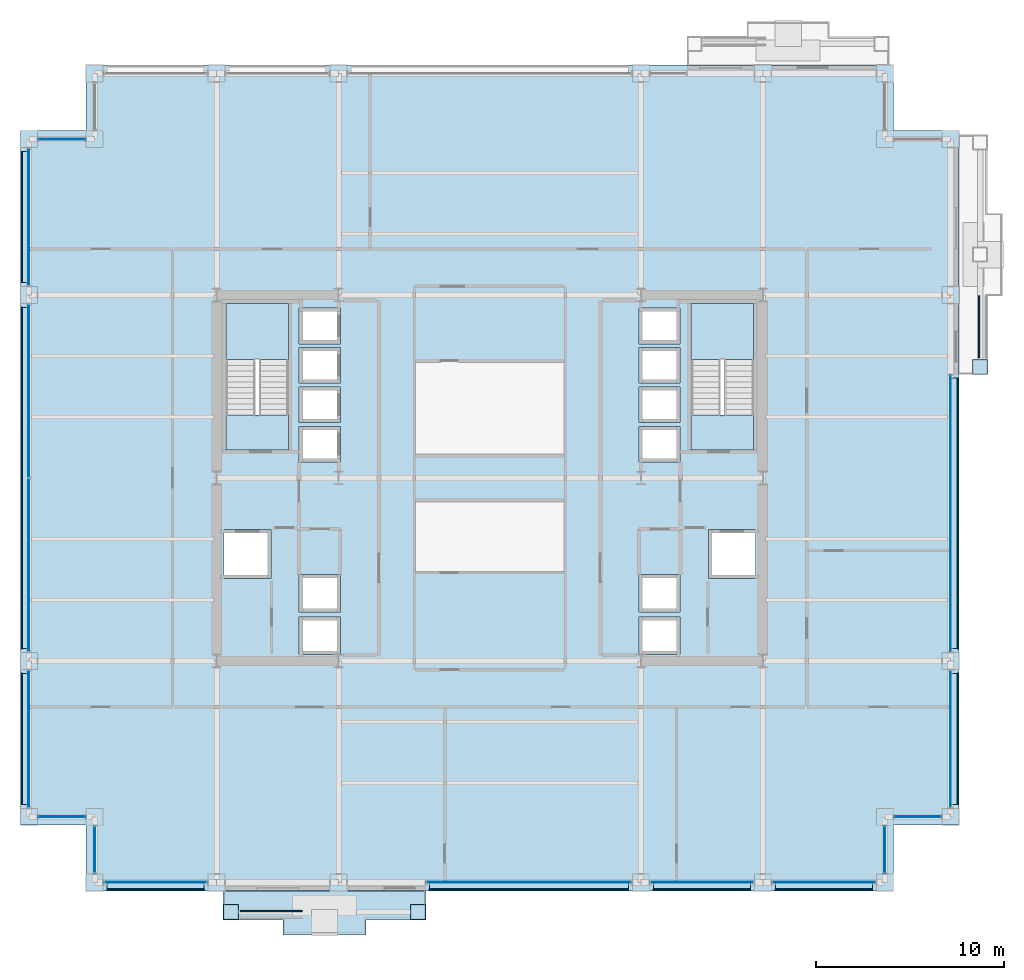
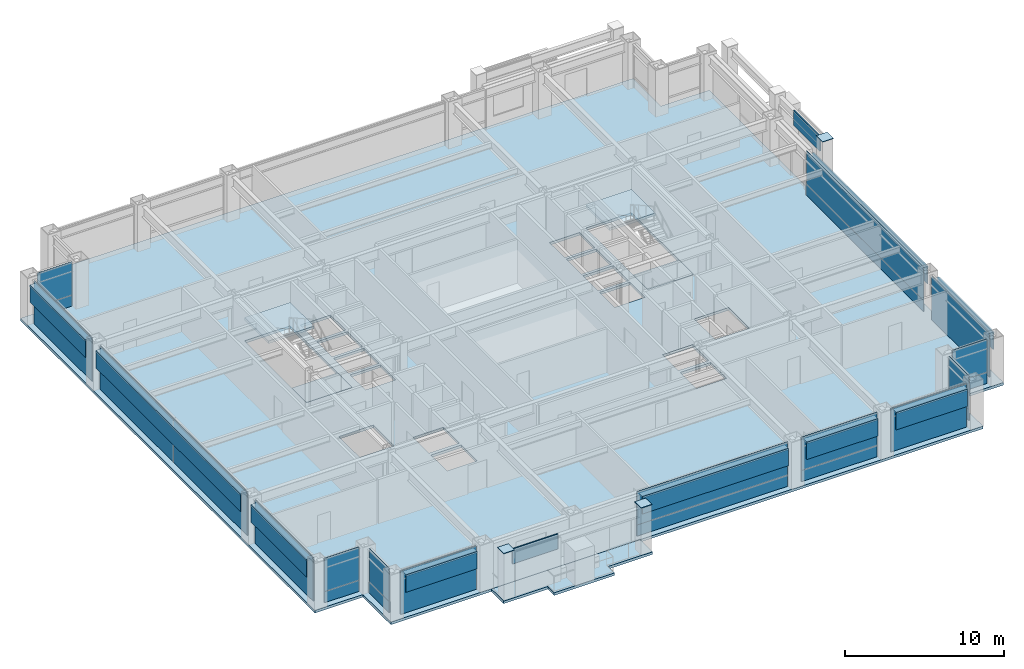
# One storey, part 24 of 31: 46 plates, 6 slabs, 16 elements without a shape of their own.
"""IFC4 building model written with IfcOpenShell, lengths in metres."""

from ifc_helpers import new_model, si_unit, direction, frame, origin, origin_2d, place, context, subcontext, project, spatial, polyline, rectangle, outline, extrude, material, layer, layer_set, type_object, element, aggregate, save


model = new_model("IFC4")

# Units and contexts
model_context = context("Model", 3, precision=1e-05, world=origin(), true_north=direction((0.0, 1.0)))
body_context = subcontext(model_context, "Body", "Model", "MODEL_VIEW")
ifc_project = project(units=[si_unit("LENGTHUNIT", "METRE"), si_unit("AREAUNIT", "SQUARE_METRE"), si_unit("VOLUMEUNIT", "CUBIC_METRE"), si_unit("PLANEANGLEUNIT", "RADIAN"), si_unit("MASSUNIT", "GRAM", prefix="KILO")], contexts=[model_context])

# Site, building, storey
site_placement = place(None, origin())
site = spatial("IfcSite", under=ifc_project, at=site_placement, CompositionType="ELEMENT")
building_placement = place(site_placement, origin())
building = spatial("IfcBuilding", under=site, at=building_placement, Name="Brelmoor Portico Tower", CompositionType="ELEMENT")
storey_placement = place(building_placement, frame((0.0, 0.0, 27.60009765625)))
storey = spatial("IfcBuildingStorey", under=building, at=storey_placement, Name="L06", CompositionType="ELEMENT", Elevation=27.60009765625)

# Plates
ifc_material_1 = material(Name="Steel Q355B", Category="steel")
ifc_layer_1 = layer(ifc_material_1, 0.044921875)
ifc_layer_set_1 = layer_set([ifc_layer_1], Name="Steel Q355B")
plate_type_1 = type_object("IfcPlateType", Name="PT-CAP-650", PredefinedType="SHEET", material=ifc_layer_set_1)
for number, where, z_axis, x_axis, name in (
    (1, (-13.780029296875, -23.1298828125, 3.599853515625), (0.0, 0.0, 1.0), (1.0, 0.0, 0.0), "L06 Proud Picture-Frame Pier PFJ-S1 Welded Head Cap Plate"),
    (2, (-3.820068359375, -23.1298828125, 3.599853515625), (0.0, 0.0, 1.0), (1.0, 0.0, 0.0), "L06 Proud Picture-Frame Pier PFJ-S2 Welded Head Cap Plate"),
    (3, (26.1298828125, 5.919921875, 3.599853515625), (0.0, 0.0, 1.0), (0.0, 1.0, 0.0), "L06 Proud Picture-Frame Pier PFJ-E1 Welded Head Cap Plate"),
):
    element("IfcPlate", number, at=place(storey_placement, frame(where, z_axis=z_axis, x_axis=x_axis)), inside=storey, type_object=plate_type_1, Name=name, PredefinedType="SHEET", context=body_context, shape_type="SweptSolid", body=[
        extrude(rectangle(XDim=0.7900390625, YDim=0.7900390625, at=origin_2d()), origin(), (0.0, 0.0, 1.0), 0.0400390625),
    ])

# Curtain wall, plate
ifc_material_2 = material(Name="Anodised Aluminium Alloy 6063-T6", Category="aluminium")
ifc_layer_2 = layer(ifc_material_2, 0.179931640625)
ifc_layer_set_2 = layer_set([ifc_layer_2], Name="Anodised Aluminium Alloy 6063-T6")
curtain_wall_type_1 = type_object("IfcCurtainWallType", Name="CW-TOWER-Z1", PredefinedType="NOTDEFINED", material=ifc_layer_set_2)
curtain_wall_1_placement = place(storey_placement, origin())
curtain_wall_1 = element("IfcCurtainWall", 4, at=curtain_wall_1_placement, inside=storey, type_object=curtain_wall_type_1, Name="L06 Curtain Wall CW-L06-1R-1", PredefinedType="NOTDEFINED")
ifc_material_3 = material(Name="Double-Silver Low-E Insulated Glazing", Category="glass")
ifc_layer_3 = layer(ifc_material_3, 0.035888671875)
ifc_layer_set_3 = layer_set([ifc_layer_3], Name="Double-Silver Low-E Insulated Glazing")
plate_type_2 = type_object("IfcPlateType", Name="PT-CW-GLASS", PredefinedType="CURTAIN_PANEL", material=ifc_layer_set_3)
plate_1_placement = place(storey_placement, frame((2.08251953125, -21.550048828125, 0.85009765625), z_axis=(0.0, 0.0, 1.0), x_axis=(1.0, 0.0, 0.0)))
plate_1 = element("IfcPlate", 5, at=plate_1_placement, type_object=plate_type_2, Name="CW-L06-1R-1 Vision Glass Panel 00", PredefinedType="CURTAIN_PANEL", context=body_context, shape_type="SweptSolid", body=[
    extrude(rectangle(XDim=10.93505859375, YDim=0.035888671875, at=origin_2d()), origin(), (0.0, 0.0, 1.0), 2.550048828125),
])

curtain_wall_2_placement = place(storey_placement, origin())
curtain_wall_2 = element("IfcCurtainWall", 6, at=curtain_wall_2_placement, inside=storey, type_object=curtain_wall_type_1, Name="L06 Curtain Wall CW-L06-1R-2", PredefinedType="NOTDEFINED")
plate_2_placement = place(storey_placement, frame((11.300048828125, -21.550048828125, 0.85009765625), z_axis=(0.0, 0.0, 1.0), x_axis=(1.0, 0.0, 0.0)))
plate_2 = element("IfcPlate", 7, at=plate_2_placement, type_object=plate_type_2, Name="CW-L06-1R-2 Vision Glass Panel 00", PredefinedType="CURTAIN_PANEL", context=body_context, shape_type="SweptSolid", body=[
    extrude(rectangle(XDim=5.5, YDim=0.035888671875, at=origin_2d()), origin(), (0.0, 0.0, 1.0), 2.550048828125),
])

curtain_wall_3_placement = place(storey_placement, origin())
curtain_wall_3 = element("IfcCurtainWall", 8, at=curtain_wall_3_placement, inside=storey, type_object=curtain_wall_type_1, Name="L06 Curtain Wall CW-L06-4L-2", PredefinedType="NOTDEFINED")
plate_3_placement = place(storey_placement, frame((24.550048828125, -1.882568359375, 0.85009765625), z_axis=(0.0, 0.0, 1.0), x_axis=(0.0, 1.0, 0.0)))
plate_3 = element("IfcPlate", 9, at=plate_3_placement, type_object=plate_type_2, Name="CW-L06-4L-2 Vision Glass Panel 00", PredefinedType="CURTAIN_PANEL", context=body_context, shape_type="SweptSolid", body=[
    extrude(rectangle(XDim=14.735107421875, YDim=0.035888671875, at=origin_2d()), origin(), (0.0, 0.0, 1.0), 2.550048828125),
])

ifc_layer_4 = layer(ifc_material_2, 0.179931640625)
ifc_layer_set_4 = layer_set([ifc_layer_4], Name="Anodised Aluminium Alloy 6063-T6")
curtain_wall_type_2 = type_object("IfcCurtainWallType", Name="CW-NOTCH-CHAMFER", PredefinedType="NOTDEFINED", material=ifc_layer_set_4)
curtain_wall_4_placement = place(storey_placement, origin())
curtain_wall_4 = element("IfcCurtainWall", 10, at=curtain_wall_4_placement, inside=storey, type_object=curtain_wall_type_2, Name="L06 Curtain Wall CWN-L06-SWH", PredefinedType="NOTDEFINED")
plate_4_placement = place(storey_placement, frame((-22.800048828125, -18.050048828125, 0.85009765625), z_axis=(0.0, 0.0, 1.0), x_axis=(1.0, 0.0, 0.0)))
plate_4 = element("IfcPlate", 11, at=plate_4_placement, type_object=plate_type_2, Name="CWN-L06-SWH Vision Glass Panel 00", PredefinedType="CURTAIN_PANEL", context=body_context, shape_type="SweptSolid", body=[
    extrude(rectangle(XDim=2.5, YDim=0.035888671875, at=origin_2d()), origin(), (0.0, 0.0, 1.0), 2.550048828125),
])

curtain_wall_5_placement = place(storey_placement, origin())
curtain_wall_5 = element("IfcCurtainWall", 12, at=curtain_wall_5_placement, inside=storey, type_object=curtain_wall_type_2, Name="L06 Curtain Wall CWN-L06-SWV", PredefinedType="NOTDEFINED")
plate_5_placement = place(storey_placement, frame((-21.050048828125, -19.800048828125, 0.85009765625), z_axis=(0.0, 0.0, 1.0), x_axis=(0.0, 1.0, 0.0)))
plate_5 = element("IfcPlate", 13, at=plate_5_placement, type_object=plate_type_2, Name="CWN-L06-SWV Vision Glass Panel 00", PredefinedType="CURTAIN_PANEL", context=body_context, shape_type="SweptSolid", body=[
    extrude(rectangle(XDim=2.5, YDim=0.035888671875, at=origin_2d()), origin(), (0.0, 0.0, 1.0), 2.550048828125),
])

curtain_wall_6_placement = place(storey_placement, origin())
curtain_wall_6 = element("IfcCurtainWall", 14, at=curtain_wall_6_placement, inside=storey, type_object=curtain_wall_type_2, Name="L06 Curtain Wall CWN-L06-SEH", PredefinedType="NOTDEFINED")
plate_6_placement = place(storey_placement, frame((22.800048828125, -18.050048828125, 0.85009765625), z_axis=(0.0, 0.0, 1.0), x_axis=(1.0, 0.0, 0.0)))
plate_6 = element("IfcPlate", 15, at=plate_6_placement, type_object=plate_type_2, Name="CWN-L06-SEH Vision Glass Panel 00", PredefinedType="CURTAIN_PANEL", context=body_context, shape_type="SweptSolid", body=[
    extrude(rectangle(XDim=2.5, YDim=0.035888671875, at=origin_2d()), origin(), (0.0, 0.0, 1.0), 2.550048828125),
])

curtain_wall_7_placement = place(storey_placement, origin())
curtain_wall_7 = element("IfcCurtainWall", 16, at=curtain_wall_7_placement, inside=storey, type_object=curtain_wall_type_2, Name="L06 Curtain Wall CWN-L06-SEV", PredefinedType="NOTDEFINED")
plate_7_placement = place(storey_placement, frame((21.050048828125, -19.800048828125, 0.85009765625), z_axis=(0.0, 0.0, 1.0), x_axis=(0.0, 1.0, 0.0)))
plate_7 = element("IfcPlate", 17, at=plate_7_placement, type_object=plate_type_2, Name="CWN-L06-SEV Vision Glass Panel 00", PredefinedType="CURTAIN_PANEL", context=body_context, shape_type="SweptSolid", body=[
    extrude(rectangle(XDim=2.5, YDim=0.035888671875, at=origin_2d()), origin(), (0.0, 0.0, 1.0), 2.550048828125),
])

curtain_wall_8_placement = place(storey_placement, origin())
curtain_wall_8 = element("IfcCurtainWall", 18, at=curtain_wall_8_placement, inside=storey, type_object=curtain_wall_type_2, Name="L06 Curtain Wall CWN-L06-NWH", PredefinedType="NOTDEFINED")
plate_8_placement = place(storey_placement, frame((-22.800048828125, 18.050048828125, 0.85009765625), z_axis=(0.0, 0.0, 1.0), x_axis=(1.0, 0.0, 0.0)))
plate_8 = element("IfcPlate", 19, at=plate_8_placement, type_object=plate_type_2, Name="CWN-L06-NWH Vision Glass Panel 00", PredefinedType="CURTAIN_PANEL", context=body_context, shape_type="SweptSolid", body=[
    extrude(rectangle(XDim=2.5, YDim=0.035888671875, at=origin_2d()), origin(), (0.0, 0.0, 1.0), 2.550048828125),
])

ifc_layer_5 = layer(ifc_material_2, 0.179931640625)
ifc_layer_set_5 = layer_set([ifc_layer_5], Name="Anodised Aluminium Alloy 6063-T6")
curtain_wall_type_3 = type_object("IfcCurtainWallType", Name="CW-TOWER-Z1-XB", PredefinedType="NOTDEFINED", material=ifc_layer_set_5)
curtain_wall_9_placement = place(storey_placement, origin())
curtain_wall_9 = element("IfcCurtainWall", 20, at=curtain_wall_9_placement, inside=storey, type_object=curtain_wall_type_3, Name="L06 Curtain Wall CW-L06-1L", PredefinedType="NOTDEFINED")
ifc_material_4 = material(Name="Pale Champagne Anodised Aluminium Panel", Category="aluminium")
ifc_layer_6 = layer(ifc_material_4, 0.050048828125)
ifc_layer_set_6 = layer_set([ifc_layer_6], Name="Pale Champagne Anodised Aluminium Panel")
plate_type_3 = type_object("IfcPlateType", Name="PT-CW-SPANDREL", PredefinedType="SHEET", material=ifc_layer_set_6)
plate_9_placement = place(storey_placement, frame((-17.800048828125, -21.550048828125, -0.000244140625), z_axis=(0.0, 0.0, 1.0), x_axis=(1.0, 0.0, 0.0)))
plate_9 = element("IfcPlate", 21, at=plate_9_placement, type_object=plate_type_3, Name="CW-L06-1L Spandrel Panel 00", PredefinedType="SHEET", context=body_context, shape_type="SweptSolid", body=[
    extrude(rectangle(XDim=5.5, YDim=0.050048828125, at=origin_2d()), origin(), (0.0, 0.0, 1.0), 3.330078125),
])
aggregate(curtain_wall_9, [plate_9])

# Plate
plate_10_placement = place(storey_placement, frame((2.08251953125, -21.550048828125, -0.000244140625), z_axis=(0.0, 0.0, 1.0), x_axis=(1.0, 0.0, 0.0)))
plate_10 = element("IfcPlate", 22, at=plate_10_placement, type_object=plate_type_3, Name="CW-L06-1R-1 Spandrel Panel 00", PredefinedType="SHEET", context=body_context, shape_type="SweptSolid", body=[
    extrude(rectangle(XDim=10.93505859375, YDim=0.050048828125, at=origin_2d()), origin(), (0.0, 0.0, 1.0), 0.85009765625),
])

aggregate(curtain_wall_1, [plate_10, plate_1])

plate_11_placement = place(storey_placement, frame((11.300048828125, -21.550048828125, -0.000244140625), z_axis=(0.0, 0.0, 1.0), x_axis=(1.0, 0.0, 0.0)))
plate_11 = element("IfcPlate", 23, at=plate_11_placement, type_object=plate_type_3, Name="CW-L06-1R-2 Spandrel Panel 00", PredefinedType="SHEET", context=body_context, shape_type="SweptSolid", body=[
    extrude(rectangle(XDim=5.5, YDim=0.050048828125, at=origin_2d()), origin(), (0.0, 0.0, 1.0), 0.85009765625),
])

aggregate(curtain_wall_2, [plate_11, plate_2])

# Curtain wall, plate
curtain_wall_10_placement = place(storey_placement, origin())
curtain_wall_10 = element("IfcCurtainWall", 24, at=curtain_wall_10_placement, inside=storey, type_object=curtain_wall_type_3, Name="L06 Curtain Wall CW-L06-1R-3", PredefinedType="NOTDEFINED")
plate_12_placement = place(storey_placement, frame((17.800048828125, -21.550048828125, -0.000244140625), z_axis=(0.0, 0.0, 1.0), x_axis=(1.0, 0.0, 0.0)))
plate_12 = element("IfcPlate", 25, at=plate_12_placement, type_object=plate_type_3, Name="CW-L06-1R-3 Spandrel Panel 00", PredefinedType="SHEET", context=body_context, shape_type="SweptSolid", body=[
    extrude(rectangle(XDim=5.5, YDim=0.050048828125, at=origin_2d()), origin(), (0.0, 0.0, 1.0), 3.330078125),
])
aggregate(curtain_wall_10, [plate_12])

curtain_wall_11_placement = place(storey_placement, origin())
curtain_wall_11 = element("IfcCurtainWall", 26, at=curtain_wall_11_placement, inside=storey, type_object=curtain_wall_type_3, Name="L06 Curtain Wall CW-L06-03-1", PredefinedType="NOTDEFINED")
plate_13_placement = place(storey_placement, frame((-24.550048828125, -13.89990234375, -0.000244140625), z_axis=(0.0, 0.0, 1.0), x_axis=(0.0, 1.0, 0.0)))
plate_13 = element("IfcPlate", 27, at=plate_13_placement, type_object=plate_type_3, Name="CW-L06-03-1 Spandrel Panel 00", PredefinedType="SHEET", context=body_context, shape_type="SweptSolid", body=[
    extrude(rectangle(XDim=7.300048828125, YDim=0.050048828125, at=origin_2d()), origin(), (0.0, 0.0, 1.0), 3.330078125),
])
aggregate(curtain_wall_11, [plate_13])

# Curtain wall, plates
curtain_wall_12_placement = place(storey_placement, origin())
curtain_wall_12 = element("IfcCurtainWall", 28, at=curtain_wall_12_placement, inside=storey, type_object=curtain_wall_type_3, Name="L06 Curtain Wall CW-L06-03-2", PredefinedType="NOTDEFINED")
plate_14_placement = place(storey_placement, frame((-24.550048828125, -4.632568359375, -0.000244140625), z_axis=(0.0, 0.0, 1.0), x_axis=(0.0, 1.0, 0.0)))
plate_14 = element("IfcPlate", 29, at=plate_14_placement, type_object=plate_type_3, Name="CW-L06-03-2 Spandrel Panel 00", PredefinedType="SHEET", context=body_context, shape_type="SweptSolid", body=[
    extrude(rectangle(XDim=9.235107421875, YDim=0.050048828125, at=origin_2d()), origin(), (0.0, 0.0, 1.0), 3.330078125),
])
plate_15_placement = place(storey_placement, frame((-24.550048828125, 4.632568359375, -0.000244140625), z_axis=(0.0, 0.0, 1.0), x_axis=(0.0, 1.0, 0.0)))
plate_15 = element("IfcPlate", 30, at=plate_15_placement, type_object=plate_type_3, Name="CW-L06-03-2 Spandrel Panel 01", PredefinedType="SHEET", context=body_context, shape_type="SweptSolid", body=[
    extrude(rectangle(XDim=9.235107421875, YDim=0.050048828125, at=origin_2d()), origin(), (0.0, 0.0, 1.0), 3.330078125),
])
aggregate(curtain_wall_12, [plate_14, plate_15])

# Curtain wall, plate
curtain_wall_13_placement = place(storey_placement, origin())
curtain_wall_13 = element("IfcCurtainWall", 31, at=curtain_wall_13_placement, inside=storey, type_object=curtain_wall_type_3, Name="L06 Curtain Wall CW-L06-03-3", PredefinedType="NOTDEFINED")
plate_16_placement = place(storey_placement, frame((-24.550048828125, 13.89990234375, -0.000244140625), z_axis=(0.0, 0.0, 1.0), x_axis=(0.0, 1.0, 0.0)))
plate_16 = element("IfcPlate", 32, at=plate_16_placement, type_object=plate_type_3, Name="CW-L06-03-3 Spandrel Panel 00", PredefinedType="SHEET", context=body_context, shape_type="SweptSolid", body=[
    extrude(rectangle(XDim=7.300048828125, YDim=0.050048828125, at=origin_2d()), origin(), (0.0, 0.0, 1.0), 3.330078125),
])
aggregate(curtain_wall_13, [plate_16])

curtain_wall_14_placement = place(storey_placement, origin())
curtain_wall_14 = element("IfcCurtainWall", 33, at=curtain_wall_14_placement, inside=storey, type_object=curtain_wall_type_3, Name="L06 Curtain Wall CW-L06-4L-1", PredefinedType="NOTDEFINED")
plate_17_placement = place(storey_placement, frame((24.550048828125, -13.89990234375, -0.000244140625), z_axis=(0.0, 0.0, 1.0), x_axis=(0.0, 1.0, 0.0)))
plate_17 = element("IfcPlate", 34, at=plate_17_placement, type_object=plate_type_3, Name="CW-L06-4L-1 Spandrel Panel 00", PredefinedType="SHEET", context=body_context, shape_type="SweptSolid", body=[
    extrude(rectangle(XDim=7.300048828125, YDim=0.050048828125, at=origin_2d()), origin(), (0.0, 0.0, 1.0), 3.330078125),
])
aggregate(curtain_wall_14, [plate_17])

# Plate
plate_18_placement = place(storey_placement, frame((24.550048828125, -1.882568359375, -0.000244140625), z_axis=(0.0, 0.0, 1.0), x_axis=(0.0, 1.0, 0.0)))
plate_18 = element("IfcPlate", 35, at=plate_18_placement, type_object=plate_type_3, Name="CW-L06-4L-2 Spandrel Panel 00", PredefinedType="SHEET", context=body_context, shape_type="SweptSolid", body=[
    extrude(rectangle(XDim=14.735107421875, YDim=0.050048828125, at=origin_2d()), origin(), (0.0, 0.0, 1.0), 0.85009765625),
])

aggregate(curtain_wall_3, [plate_18, plate_3])

plate_19_placement = place(storey_placement, frame((-22.800048828125, -18.050048828125, -0.000244140625), z_axis=(0.0, 0.0, 1.0), x_axis=(1.0, 0.0, 0.0)))
plate_19 = element("IfcPlate", 36, at=plate_19_placement, type_object=plate_type_3, Name="CWN-L06-SWH Spandrel Panel 00", PredefinedType="SHEET", context=body_context, shape_type="SweptSolid", body=[
    extrude(rectangle(XDim=2.5, YDim=0.050048828125, at=origin_2d()), origin(), (0.0, 0.0, 1.0), 0.85009765625),
])

aggregate(curtain_wall_4, [plate_19, plate_4])

plate_20_placement = place(storey_placement, frame((-21.050048828125, -19.800048828125, -0.000244140625), z_axis=(0.0, 0.0, 1.0), x_axis=(0.0, 1.0, 0.0)))
plate_20 = element("IfcPlate", 37, at=plate_20_placement, type_object=plate_type_3, Name="CWN-L06-SWV Spandrel Panel 00", PredefinedType="SHEET", context=body_context, shape_type="SweptSolid", body=[
    extrude(rectangle(XDim=2.5, YDim=0.050048828125, at=origin_2d()), origin(), (0.0, 0.0, 1.0), 0.85009765625),
])

aggregate(curtain_wall_5, [plate_20, plate_5])

plate_21_placement = place(storey_placement, frame((22.800048828125, -18.050048828125, -0.000244140625), z_axis=(0.0, 0.0, 1.0), x_axis=(1.0, 0.0, 0.0)))
plate_21 = element("IfcPlate", 38, at=plate_21_placement, type_object=plate_type_3, Name="CWN-L06-SEH Spandrel Panel 00", PredefinedType="SHEET", context=body_context, shape_type="SweptSolid", body=[
    extrude(rectangle(XDim=2.5, YDim=0.050048828125, at=origin_2d()), origin(), (0.0, 0.0, 1.0), 0.85009765625),
])

aggregate(curtain_wall_6, [plate_21, plate_6])

plate_22_placement = place(storey_placement, frame((21.050048828125, -19.800048828125, -0.000244140625), z_axis=(0.0, 0.0, 1.0), x_axis=(0.0, 1.0, 0.0)))
plate_22 = element("IfcPlate", 39, at=plate_22_placement, type_object=plate_type_3, Name="CWN-L06-SEV Spandrel Panel 00", PredefinedType="SHEET", context=body_context, shape_type="SweptSolid", body=[
    extrude(rectangle(XDim=2.5, YDim=0.050048828125, at=origin_2d()), origin(), (0.0, 0.0, 1.0), 0.85009765625),
])

aggregate(curtain_wall_7, [plate_22, plate_7])

plate_23_placement = place(storey_placement, frame((-22.800048828125, 18.050048828125, -0.000244140625), z_axis=(0.0, 0.0, 1.0), x_axis=(1.0, 0.0, 0.0)))
plate_23 = element("IfcPlate", 40, at=plate_23_placement, type_object=plate_type_3, Name="CWN-L06-NWH Spandrel Panel 00", PredefinedType="SHEET", context=body_context, shape_type="SweptSolid", body=[
    extrude(rectangle(XDim=2.5, YDim=0.050048828125, at=origin_2d()), origin(), (0.0, 0.0, 1.0), 0.85009765625),
])

aggregate(curtain_wall_8, [plate_23, plate_8])

# Plates
ifc_material_5 = material(Name="Powder-Coated Aluminium Shuttered Jalousie Louvre", Category="aluminium")
ifc_layer_7 = layer(ifc_material_5, 0.06005859375)
ifc_layer_set_7 = layer_set([ifc_layer_7], Name="Powder-Coated Aluminium Shuttered Jalousie Louvre")
plate_type_4 = type_object("IfcPlateType", Name="PT-JALOUSIE-SHUTTER", PredefinedType="SHEET", material=ifc_layer_set_7)
plate_24_placement = place(storey_placement, frame((-17.800048828125, -21.929931640625, 1.8740234375), z_axis=(0.0, 0.0, 1.0), x_axis=(1.0, 0.0, 0.0)))
element("IfcPlate", 41, at=plate_24_placement, inside=storey, type_object=plate_type_4, Name="CW-L06-1L Perforated Jalousie Solar Screen", PredefinedType="SHEET", context=body_context, shape_type="SweptSolid", body=[
    extrude(rectangle(XDim=5.169921875, YDim=0.06494140625, at=origin_2d()), origin(), (0.0, 0.0, 1.0), 1.325927734375),
])
plate_25_placement = place(storey_placement, frame((2.08251953125, -21.929931640625, 1.8740234375), z_axis=(0.0, 0.0, 1.0), x_axis=(1.0, 0.0, 0.0)))
element("IfcPlate", 42, at=plate_25_placement, inside=storey, type_object=plate_type_4, Name="CW-L06-1R-1 Perforated Jalousie Solar Screen", PredefinedType="SHEET", context=body_context, shape_type="SweptSolid", body=[
    extrude(rectangle(XDim=10.60498046875, YDim=0.06494140625, at=origin_2d()), origin(), (0.0, 0.0, 1.0), 1.325927734375),
])
for number, where, z_axis, x_axis, name in (
    (43, (11.300048828125, -21.929931640625, 1.8740234375), (0.0, 0.0, 1.0), (1.0, 0.0, 0.0), "CW-L06-1R-2 Perforated Jalousie Solar Screen"),
    (44, (17.800048828125, -21.929931640625, 1.8740234375), (0.0, 0.0, 1.0), (1.0, 0.0, 0.0), "CW-L06-1R-3 Perforated Jalousie Solar Screen"),
):
    element("IfcPlate", number, at=place(storey_placement, frame(where, z_axis=z_axis, x_axis=x_axis)), inside=storey, type_object=plate_type_4, Name=name, PredefinedType="SHEET", context=body_context, shape_type="SweptSolid", body=[
        extrude(rectangle(XDim=5.169921875, YDim=0.06494140625, at=origin_2d()), origin(), (0.0, 0.0, 1.0), 1.325927734375),
    ])
plate_26_placement = place(storey_placement, frame((-11.64990234375, -23.080078125, 2.27490234375), z_axis=(0.0, 0.0, 1.0), x_axis=(1.0, 0.0, 0.0)))
element("IfcPlate", 45, at=plate_26_placement, inside=storey, type_object=plate_type_4, Name="L06 Shuttered Veranda Screen S", PredefinedType="SHEET", context=body_context, shape_type="SweptSolid", body=[
    extrude(rectangle(XDim=3.300048828125, YDim=0.080078125, at=origin_2d()), origin(), (0.0, 0.0, 1.0), 1.14990234375),
])
plate_27_placement = place(storey_placement, frame((-24.929931640625, -13.89990234375, 1.8740234375), z_axis=(0.0, 0.0, 1.0), x_axis=(0.0, 1.0, 0.0)))
element("IfcPlate", 46, at=plate_27_placement, inside=storey, type_object=plate_type_4, Name="CW-L06-03-1 Perforated Jalousie Solar Screen", PredefinedType="SHEET", context=body_context, shape_type="SweptSolid", body=[
    extrude(rectangle(XDim=6.969970703125, YDim=0.06494140625, at=origin_2d()), origin(), (0.0, 0.0, 1.0), 1.325927734375),
])
plate_28_placement = place(storey_placement, frame((-24.929931640625, 0.0, 1.8740234375), z_axis=(0.0, 0.0, 1.0), x_axis=(0.0, 1.0, 0.0)))
element("IfcPlate", 47, at=plate_28_placement, inside=storey, type_object=plate_type_4, Name="CW-L06-03-2 Perforated Jalousie Solar Screen", PredefinedType="SHEET", context=body_context, shape_type="SweptSolid", body=[
    extrude(rectangle(XDim=18.169921875, YDim=0.06494140625, at=origin_2d()), origin(), (0.0, 0.0, 1.0), 1.325927734375),
])
for number, where, z_axis, x_axis, name in (
    (48, (-24.929931640625, 13.89990234375, 1.8740234375), (0.0, 0.0, 1.0), (0.0, 1.0, 0.0), "CW-L06-03-3 Perforated Jalousie Solar Screen"),
    (49, (24.929931640625, -13.89990234375, 1.8740234375), (0.0, 0.0, 1.0), (0.0, 1.0, 0.0), "CW-L06-4L-1 Perforated Jalousie Solar Screen"),
):
    element("IfcPlate", number, at=place(storey_placement, frame(where, z_axis=z_axis, x_axis=x_axis)), inside=storey, type_object=plate_type_4, Name=name, PredefinedType="SHEET", context=body_context, shape_type="SweptSolid", body=[
        extrude(rectangle(XDim=6.969970703125, YDim=0.06494140625, at=origin_2d()), origin(), (0.0, 0.0, 1.0), 1.325927734375),
    ])
plate_29_placement = place(storey_placement, frame((24.929931640625, -1.882568359375, 1.8740234375), z_axis=(0.0, 0.0, 1.0), x_axis=(0.0, 1.0, 0.0)))
element("IfcPlate", 50, at=plate_29_placement, inside=storey, type_object=plate_type_4, Name="CW-L06-4L-2 Perforated Jalousie Solar Screen", PredefinedType="SHEET", context=body_context, shape_type="SweptSolid", body=[
    extrude(rectangle(XDim=14.405029296875, YDim=0.06494140625, at=origin_2d()), origin(), (0.0, 0.0, 1.0), 1.325927734375),
])
plate_30_placement = place(storey_placement, frame((26.080078125, 8.050048828125, 2.27490234375), z_axis=(0.0, 0.0, 1.0), x_axis=(0.0, 1.0, 0.0)))
element("IfcPlate", 51, at=plate_30_placement, inside=storey, type_object=plate_type_4, Name="L06 Shuttered Veranda Screen E", PredefinedType="SHEET", context=body_context, shape_type="SweptSolid", body=[
    extrude(rectangle(XDim=3.300048828125, YDim=0.080078125, at=origin_2d()), origin(), (0.0, 0.0, 1.0), 1.14990234375),
])
ifc_material_6 = material(Name="Pale Champagne Perforated Aluminium Solar Screen", Category="aluminium")
ifc_layer_8 = layer(ifc_material_6, 0.054931640625)
ifc_layer_set_8 = layer_set([ifc_layer_8], Name="Pale Champagne Perforated Aluminium Solar Screen")
plate_type_5 = type_object("IfcPlateType", Name="PT-SOLAR-LOUVRE", PredefinedType="SHEET", material=ifc_layer_set_8)
plate_31_placement = place(storey_placement, frame((-17.800048828125, -21.760009765625, 3.08984375), z_axis=(0.0, 0.0, 1.0), x_axis=(1.0, 0.0, 0.0)))
element("IfcPlate", 52, at=plate_31_placement, inside=storey, type_object=plate_type_5, Name="CW-L06-1L Caribbean Brise-Soleil Solar Screen", PredefinedType="SHEET", context=body_context, shape_type="SweptSolid", body=[
    extrude(rectangle(XDim=5.169921875, YDim=0.4599609375, at=origin_2d()), origin(), (0.0, 0.0, 1.0), 0.139892578125),
])
plate_32_placement = place(storey_placement, frame((2.08251953125, -21.760009765625, 3.08984375), z_axis=(0.0, 0.0, 1.0), x_axis=(1.0, 0.0, 0.0)))
element("IfcPlate", 53, at=plate_32_placement, inside=storey, type_object=plate_type_5, Name="CW-L06-1R-1 Caribbean Brise-Soleil Solar Screen", PredefinedType="SHEET", context=body_context, shape_type="SweptSolid", body=[
    extrude(rectangle(XDim=10.60498046875, YDim=0.4599609375, at=origin_2d()), origin(), (0.0, 0.0, 1.0), 0.139892578125),
])
for number, where, z_axis, x_axis, name in (
    (54, (11.300048828125, -21.760009765625, 3.08984375), (0.0, 0.0, 1.0), (1.0, 0.0, 0.0), "CW-L06-1R-2 Caribbean Brise-Soleil Solar Screen"),
    (55, (17.800048828125, -21.760009765625, 3.08984375), (0.0, 0.0, 1.0), (1.0, 0.0, 0.0), "CW-L06-1R-3 Caribbean Brise-Soleil Solar Screen"),
):
    element("IfcPlate", number, at=place(storey_placement, frame(where, z_axis=z_axis, x_axis=x_axis)), inside=storey, type_object=plate_type_5, Name=name, PredefinedType="SHEET", context=body_context, shape_type="SweptSolid", body=[
        extrude(rectangle(XDim=5.169921875, YDim=0.4599609375, at=origin_2d()), origin(), (0.0, 0.0, 1.0), 0.139892578125),
    ])
plate_33_placement = place(storey_placement, frame((-24.760009765625, -13.89990234375, 3.08984375), z_axis=(0.0, 0.0, 1.0), x_axis=(0.0, 1.0, 0.0)))
element("IfcPlate", 56, at=plate_33_placement, inside=storey, type_object=plate_type_5, Name="CW-L06-03-1 Caribbean Brise-Soleil Solar Screen", PredefinedType="SHEET", context=body_context, shape_type="SweptSolid", body=[
    extrude(rectangle(XDim=6.969970703125, YDim=0.4599609375, at=origin_2d()), origin(), (0.0, 0.0, 1.0), 0.139892578125),
])
plate_34_placement = place(storey_placement, frame((-24.760009765625, 0.0, 3.08984375), z_axis=(0.0, 0.0, 1.0), x_axis=(0.0, 1.0, 0.0)))
element("IfcPlate", 57, at=plate_34_placement, inside=storey, type_object=plate_type_5, Name="CW-L06-03-2 Caribbean Brise-Soleil Solar Screen", PredefinedType="SHEET", context=body_context, shape_type="SweptSolid", body=[
    extrude(rectangle(XDim=18.169921875, YDim=0.4599609375, at=origin_2d()), origin(), (0.0, 0.0, 1.0), 0.139892578125),
])
for number, where, z_axis, x_axis, name in (
    (58, (-24.760009765625, 13.89990234375, 3.08984375), (0.0, 0.0, 1.0), (0.0, 1.0, 0.0), "CW-L06-03-3 Caribbean Brise-Soleil Solar Screen"),
    (59, (24.760009765625, -13.89990234375, 3.08984375), (0.0, 0.0, 1.0), (0.0, 1.0, 0.0), "CW-L06-4L-1 Caribbean Brise-Soleil Solar Screen"),
):
    element("IfcPlate", number, at=place(storey_placement, frame(where, z_axis=z_axis, x_axis=x_axis)), inside=storey, type_object=plate_type_5, Name=name, PredefinedType="SHEET", context=body_context, shape_type="SweptSolid", body=[
        extrude(rectangle(XDim=6.969970703125, YDim=0.4599609375, at=origin_2d()), origin(), (0.0, 0.0, 1.0), 0.139892578125),
    ])
plate_35_placement = place(storey_placement, frame((24.760009765625, -1.882568359375, 3.08984375), z_axis=(0.0, 0.0, 1.0), x_axis=(0.0, 1.0, 0.0)))
element("IfcPlate", 60, at=plate_35_placement, inside=storey, type_object=plate_type_5, Name="CW-L06-4L-2 Caribbean Brise-Soleil Solar Screen", PredefinedType="SHEET", context=body_context, shape_type="SweptSolid", body=[
    extrude(rectangle(XDim=14.405029296875, YDim=0.4599609375, at=origin_2d()), origin(), (0.0, 0.0, 1.0), 0.139892578125),
])

# Slabs
ifc_material_7 = material(Name="Concrete C40", Category="concrete")
ifc_layer_9 = layer(ifc_material_7, 0.199951171875)
ifc_layer_set_9 = layer_set([ifc_layer_9], Name="Concrete C40")
slab_type_1 = type_object("IfcSlabType", Name="SL-BALCONY-200", PredefinedType="FLOOR", material=ifc_layer_set_9)
slab_1_placement = place(storey_placement, frame((0.0, 0.0, -0.2001953125)))
element("IfcSlab", 61, at=slab_1_placement, inside=storey, type_object=slab_type_1, Name="L06 Loggia Tree Balcony Slab S", PredefinedType="FLOOR", context=body_context, shape_type="SweptSolid", body=[
    extrude(outline(polyline([(-14.199951171875, -23.550048828125), (-11.0, -23.550048828125), (-11.0, -24.35009765625), (-6.60009765625, -24.35009765625), (-6.60009765625, -23.550048828125), (-3.39990234375, -23.550048828125), (-3.39990234375, -22.0), (-14.199951171875, -22.0), (-14.199951171875, -23.550048828125)])), origin(), (0.0, 0.0, 1.0), 0.2001953125),
])
ifc_layer_10 = layer(ifc_material_7, 0.199951171875)
ifc_layer_set_10 = layer_set([ifc_layer_10], Name="Concrete C40")
slab_type_2 = type_object("IfcSlabType", Name="SL-FLOOR-200", PredefinedType="FLOOR", material=ifc_layer_set_10)
slab_2_placement = place(storey_placement, frame((0.0, 0.0, -0.2001953125)))
element("IfcSlab", 62, at=slab_2_placement, inside=storey, type_object=slab_type_2, Name="L06 Main Structural Floor Slab", PredefinedType="FLOOR", context=body_context, shape_type="SweptSolid", body=[
    extrude(outline(polyline([(-21.5, -22.0), (21.5, -22.0), (21.5, -18.5), (25.0, -18.5), (25.0, 18.5), (21.5, 18.5), (21.5, 22.0), (-21.5, 22.0), (-21.5, 18.5), (-25.0, 18.5), (-25.0, -18.5), (-21.5, -18.5), (-21.5, -22.0)]), holes=[polyline([(-10.72998046875, 1.5), (-10.72998046875, 9.300048828125), (-14.050048828125, 9.300048828125), (-14.050048828125, 1.5), (-10.72998046875, 1.5)]), polyline([(14.050048828125, 1.5), (14.050048828125, 9.300048828125), (10.72998046875, 9.300048828125), (10.72998046875, 1.5), (14.050048828125, 1.5)]), polyline([(-10.14990234375, 0.85009765625), (-7.949951171875, 0.85009765625), (-7.949951171875, 2.75), (-10.14990234375, 2.75), (-10.14990234375, 0.85009765625)]), polyline([(-10.14990234375, 2.949951171875), (-7.949951171875, 2.949951171875), (-7.949951171875, 4.85009765625), (-10.14990234375, 4.85009765625), (-10.14990234375, 2.949951171875)]), polyline([(-10.14990234375, 5.050048828125), (-7.949951171875, 5.050048828125), (-7.949951171875, 6.949951171875), (-10.14990234375, 6.949951171875), (-10.14990234375, 5.050048828125)]), polyline([(-10.14990234375, 7.14990234375), (-7.949951171875, 7.14990234375), (-7.949951171875, 9.050048828125), (-10.14990234375, 9.050048828125), (-10.14990234375, 7.14990234375)]), polyline([(7.949951171875, 0.85009765625), (10.14990234375, 0.85009765625), (10.14990234375, 2.75), (7.949951171875, 2.75), (7.949951171875, 0.85009765625)]), polyline([(7.949951171875, 2.949951171875), (10.14990234375, 2.949951171875), (10.14990234375, 4.85009765625), (7.949951171875, 4.85009765625), (7.949951171875, 2.949951171875)]), polyline([(7.949951171875, 5.050048828125), (10.14990234375, 5.050048828125), (10.14990234375, 6.949951171875), (7.949951171875, 6.949951171875), (7.949951171875, 5.050048828125)]), polyline([(7.949951171875, 7.14990234375), (10.14990234375, 7.14990234375), (10.14990234375, 9.050048828125), (7.949951171875, 9.050048828125), (7.949951171875, 7.14990234375)]), polyline([(-10.14990234375, -9.39990234375), (-7.949951171875, -9.39990234375), (-7.949951171875, -7.39990234375), (-10.14990234375, -7.39990234375), (-10.14990234375, -9.39990234375)]), polyline([(-10.14990234375, -7.14990234375), (-7.949951171875, -7.14990234375), (-7.949951171875, -5.14990234375), (-10.14990234375, -5.14990234375), (-10.14990234375, -7.14990234375)]), polyline([(7.949951171875, -9.39990234375), (10.14990234375, -9.39990234375), (10.14990234375, -7.39990234375), (7.949951171875, -7.39990234375), (7.949951171875, -9.39990234375)]), polyline([(7.949951171875, -7.14990234375), (10.14990234375, -7.14990234375), (10.14990234375, -5.14990234375), (7.949951171875, -5.14990234375), (7.949951171875, -7.14990234375)]), polyline([(-14.14990234375, -5.35009765625), (-11.64990234375, -5.35009765625), (-11.64990234375, -2.75), (-14.14990234375, -2.75), (-14.14990234375, -5.35009765625)]), polyline([(11.64990234375, -5.35009765625), (14.14990234375, -5.35009765625), (14.14990234375, -2.75), (11.64990234375, -2.75), (11.64990234375, -5.35009765625)])]), origin(), (0.0, 0.0, 1.0), 0.2001953125),
])

# Stair, slab
stair_type_1 = type_object("IfcStairType", Name="ST-CORE-W", PredefinedType="HALF_TURN_STAIR", material=ifc_material_7)
stair_1_placement = place(storey_placement, origin())
stair_1 = element("IfcStair", 63, at=stair_1_placement, inside=storey, type_object=stair_type_1, Name="L06 Protected Core Exit Stair ST-W", PredefinedType="HALF_TURN_STAIR")
ifc_layer_11 = layer(ifc_material_7, 0.179931640625)
ifc_layer_set_11 = layer_set([ifc_layer_11], Name="Concrete C40")
slab_type_3 = type_object("IfcSlabType", Name="SL-LANDING-180", PredefinedType="LANDING", material=ifc_layer_set_11)
slab_3_placement = place(storey_placement, frame((0.0, 0.0, 1.599853515625)))
slab_3 = element("IfcSlab", 64, at=slab_3_placement, type_object=slab_type_3, Name="ST-W landing 1", PredefinedType="LANDING", context=body_context, shape_type="SweptSolid", body=[
    extrude(outline(polyline([(-10.72998046875, 6.300048828125), (-10.72998046875, 9.300048828125), (-14.050048828125, 9.300048828125), (-14.050048828125, 6.300048828125), (-10.72998046875, 6.300048828125)])), origin(), (0.0, 0.0, 1.0), 0.199951171875),
])
aggregate(stair_1, [slab_3])

stair_type_2 = type_object("IfcStairType", Name="ST-CORE-E", PredefinedType="HALF_TURN_STAIR", material=ifc_material_7)
stair_2_placement = place(storey_placement, origin())
stair_2 = element("IfcStair", 65, at=stair_2_placement, inside=storey, type_object=stair_type_2, Name="L06 Protected Core Exit Stair ST-E", PredefinedType="HALF_TURN_STAIR")
slab_4_placement = place(storey_placement, frame((0.0, 0.0, 1.599853515625)))
slab_4 = element("IfcSlab", 66, at=slab_4_placement, type_object=slab_type_3, Name="ST-E landing 1", PredefinedType="LANDING", context=body_context, shape_type="SweptSolid", body=[
    extrude(outline(polyline([(14.050048828125, 6.300048828125), (14.050048828125, 9.300048828125), (10.72998046875, 9.300048828125), (10.72998046875, 6.300048828125), (14.050048828125, 6.300048828125)])), origin(), (0.0, 0.0, 1.0), 0.199951171875),
])
aggregate(stair_2, [slab_4])

# Slabs
ifc_layer_12 = layer(ifc_material_7, 0.199951171875)
ifc_layer_set_12 = layer_set([ifc_layer_12], Name="Concrete C40")
slab_type_4 = type_object("IfcSlabType", Name="SL-STAIR-FL200", PredefinedType="LANDING", material=ifc_layer_set_12)
slab_5_placement = place(storey_placement, frame((0.0, 0.0, -0.2001953125)))
element("IfcSlab", 67, at=slab_5_placement, inside=storey, type_object=slab_type_4, Name="L06 ST-W Structural Floor Landing Slab", PredefinedType="LANDING", context=body_context, shape_type="SweptSolid", body=[
    extrude(outline(polyline([(-10.72998046875, 1.5), (-10.72998046875, 3.35009765625), (-14.050048828125, 3.35009765625), (-14.050048828125, 1.5), (-10.72998046875, 1.5)])), origin(), (0.0, 0.0, 1.0), 0.2001953125),
])
slab_6_placement = place(storey_placement, frame((0.0, 0.0, -0.2001953125)))
element("IfcSlab", 68, at=slab_6_placement, inside=storey, type_object=slab_type_4, Name="L06 ST-E Structural Floor Landing Slab", PredefinedType="LANDING", context=body_context, shape_type="SweptSolid", body=[
    extrude(outline(polyline([(14.050048828125, 1.5), (14.050048828125, 3.35009765625), (10.72998046875, 3.35009765625), (10.72998046875, 1.5), (14.050048828125, 1.5)])), origin(), (0.0, 0.0, 1.0), 0.2001953125),
])

save(model, "model.ifc")
